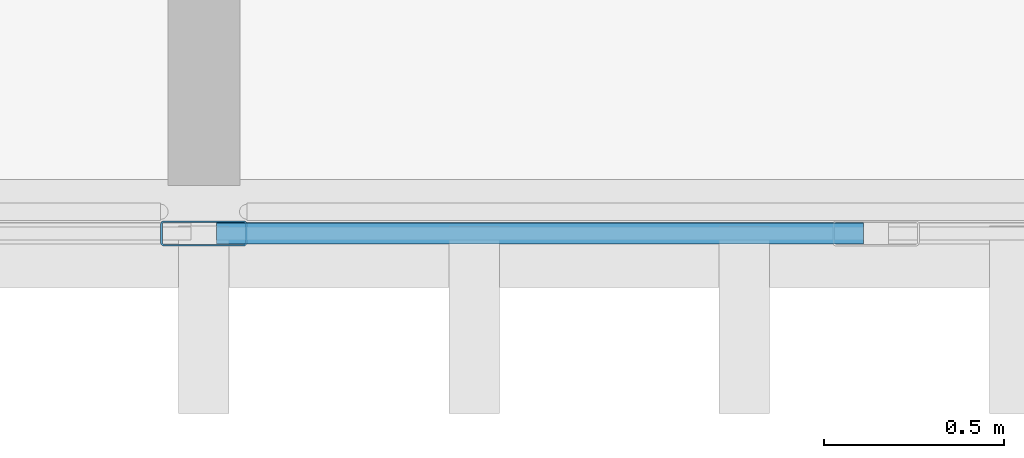
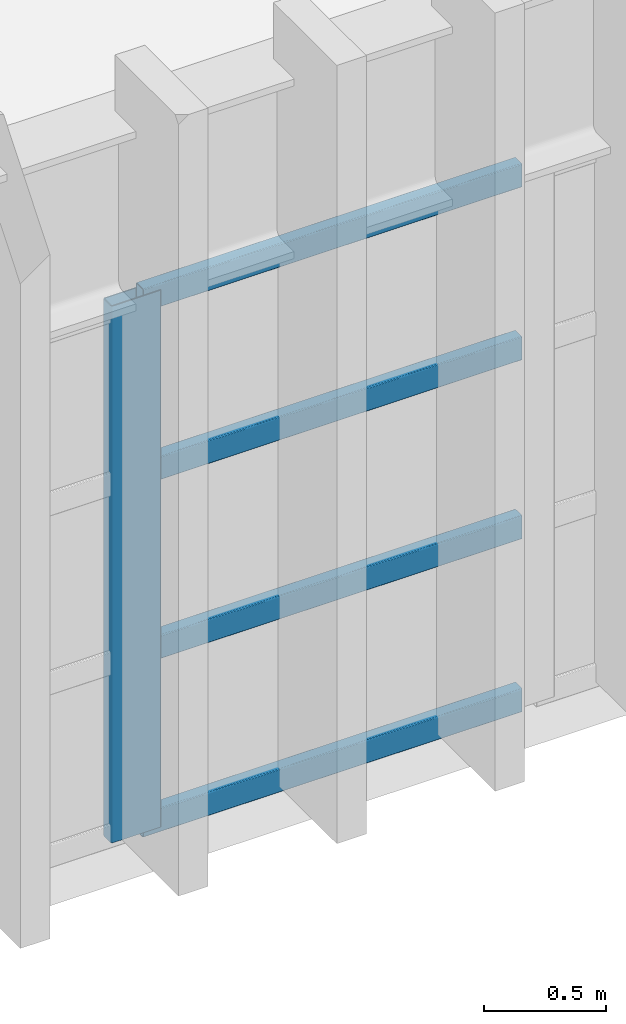
# One storey, part 27 of 82: 5 members, 1 element without a shape of its own.
"""IFC4 building model written with IfcOpenShell, lengths in metres."""

from ifc_helpers import new_model, si_unit, direction, frame, origin, origin_2d, place, context, subcontext, project, spatial, hollow_rectangle, extrude, material, material_profile, profile_set, type_object, element, aggregate, save


model = new_model("IFC4")

# Units and contexts
model_context = context("Model", 3, precision=1e-05, world=origin(), true_north=direction((0.0, 1.0)))
body_context = subcontext(model_context, "Body", "Model", "MODEL_VIEW")
ifc_project = project(units=[si_unit("LENGTHUNIT", "METRE"), si_unit("AREAUNIT", "SQUARE_METRE"), si_unit("VOLUMEUNIT", "CUBIC_METRE"), si_unit("PLANEANGLEUNIT", "RADIAN"), si_unit("MASSUNIT", "GRAM", prefix="KILO")], contexts=[model_context])

# Site, building, storey
site_placement = place(None, origin())
site = spatial("IfcSite", under=ifc_project, at=site_placement, CompositionType="ELEMENT")
building_placement = place(site_placement, origin())
building = spatial("IfcBuilding", under=site, at=building_placement, Name="Qasida Concert Hall", CompositionType="ELEMENT")
storey_placement = place(building_placement, frame((0.0, 0.0, 17.10009765625)))
storey = spatial("IfcBuildingStorey", under=building, at=storey_placement, Name="L04", CompositionType="ELEMENT", Elevation=17.10009765625)

# Curtain wall, members
ifc_material_1 = material(Name="Architectural bronze-anodized aluminium and low-E glass", Category="aluminium")
curtain_wall_type = type_object("IfcCurtainWallType", Name="CW-10", PredefinedType="NOTDEFINED", material=ifc_material_1)
curtain_wall_placement = place(storey_placement, origin())
curtain_wall = element("IfcCurtainWall", 1, at=curtain_wall_placement, inside=storey, type_object=curtain_wall_type, Name="L04 curtain wall CW-10 0025", PredefinedType="NOTDEFINED")
ifc_material_2 = material(Name="Architectural bronze-anodized aluminium EN AW-6063", Category="aluminium")
ifc_material_profile_1 = material_profile(ifc_material_2, hollow_rectangle(XDim=0.070068359375, YDim=0.239990234375, WallThickness=0.0048828125, InnerFilletRadius=0.0048828125, OuterFilletRadius=0.010009765625, at=origin_2d()), Name="CWM 240x70x5")
ifc_profile_set_1 = profile_set([ifc_material_profile_1], Name="Architectural bronze-anodized aluminium EN AW-6063")
member_type_1 = type_object("IfcMemberType", Name="MB-CWM-1", PredefinedType="MULLION", material=ifc_profile_set_1)
member_1_placement = place(storey_placement, frame((78.75, 14.699951171875, 0.0), z_axis=(0.0, 0.0, 1.0), x_axis=(0.0, 1.0, 0.0)))
member_1 = element("IfcMember", 2, at=member_1_placement, type_object=member_type_1, Name="CW-10 mullion 3", PredefinedType="MULLION", context=body_context, shape_type="SweptSolid", body=[
    extrude(hollow_rectangle(XDim=0.070068359375, YDim=0.239990234375, WallThickness=0.0048828125, InnerFilletRadius=0.0048828125, OuterFilletRadius=0.010009765625, at=origin_2d()), origin(), (0.0, 0.0, 1.0), 2.68994140625),
])
ifc_material_profile_2 = material_profile(ifc_material_2, hollow_rectangle(XDim=0.06005859375, YDim=0.1201171875, WallThickness=0.00390625, InnerFilletRadius=0.00390625, OuterFilletRadius=0.008056640625, at=origin_2d()), Name="CWT 120x60x4")
ifc_profile_set_2 = profile_set([ifc_material_profile_2], Name="Architectural bronze-anodized aluminium EN AW-6063")
member_type_2 = type_object("IfcMemberType", Name="MB-CWT-2", PredefinedType="USERDEFINED", material=ifc_profile_set_2)
member_2_placement = place(storey_placement, frame((78.784912109375, 14.699951171875, 0.02978515625), z_axis=(1.0, 0.0, 0.0), x_axis=(0.0, 1.0, 0.0)))
member_2 = element("IfcMember", 3, at=member_2_placement, type_object=member_type_2, Name="CW-10 transom 3.1", ObjectType="TRANSOM", PredefinedType="USERDEFINED", context=body_context, shape_type="SweptSolid", body=[
    extrude(hollow_rectangle(XDim=0.06005859375, YDim=0.1201171875, WallThickness=0.00390625, InnerFilletRadius=0.00390625, OuterFilletRadius=0.008056640625, at=origin_2d()), origin(), (0.0, 0.0, 1.0), 1.795166015625),
])
member_3_placement = place(storey_placement, frame((78.784912109375, 14.699951171875, 0.896484375), z_axis=(1.0, 0.0, 0.0), x_axis=(0.0, 1.0, 0.0)))
member_3 = element("IfcMember", 4, at=member_3_placement, type_object=member_type_2, Name="CW-10 transom 3.2", ObjectType="TRANSOM", PredefinedType="USERDEFINED", context=body_context, shape_type="SweptSolid", body=[
    extrude(hollow_rectangle(XDim=0.06005859375, YDim=0.1201171875, WallThickness=0.00390625, InnerFilletRadius=0.00390625, OuterFilletRadius=0.008056640625, at=origin_2d()), origin(), (0.0, 0.0, 1.0), 1.795166015625),
])
member_4_placement = place(storey_placement, frame((78.784912109375, 14.699951171875, 1.793212890625), z_axis=(1.0, 0.0, 0.0), x_axis=(0.0, 1.0, 0.0)))
member_4 = element("IfcMember", 5, at=member_4_placement, type_object=member_type_2, Name="CW-10 transom 3.3", ObjectType="TRANSOM", PredefinedType="USERDEFINED", context=body_context, shape_type="SweptSolid", body=[
    extrude(hollow_rectangle(XDim=0.06005859375, YDim=0.1201171875, WallThickness=0.00390625, InnerFilletRadius=0.00390625, OuterFilletRadius=0.008056640625, at=origin_2d()), origin(), (0.0, 0.0, 1.0), 1.795166015625),
])
member_5_placement = place(storey_placement, frame((78.784912109375, 14.699951171875, 2.659912109375), z_axis=(1.0, 0.0, 0.0), x_axis=(0.0, 1.0, 0.0)))
member_5 = element("IfcMember", 6, at=member_5_placement, type_object=member_type_2, Name="CW-10 transom 3.4", ObjectType="TRANSOM", PredefinedType="USERDEFINED", context=body_context, shape_type="SweptSolid", body=[
    extrude(hollow_rectangle(XDim=0.06005859375, YDim=0.1201171875, WallThickness=0.00390625, InnerFilletRadius=0.00390625, OuterFilletRadius=0.008056640625, at=origin_2d()), origin(), (0.0, 0.0, 1.0), 1.795166015625),
])
aggregate(curtain_wall, [member_1, member_2, member_3, member_4, member_5])

save(model, "model.ifc")
